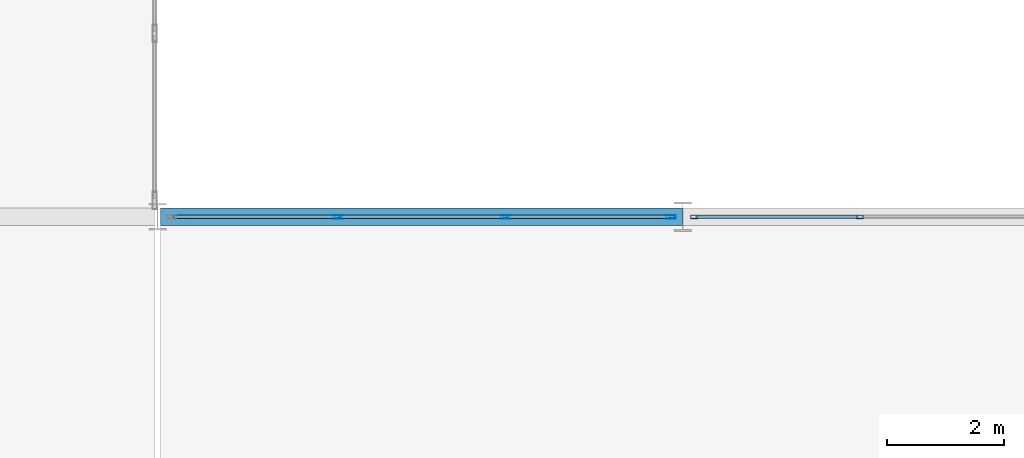
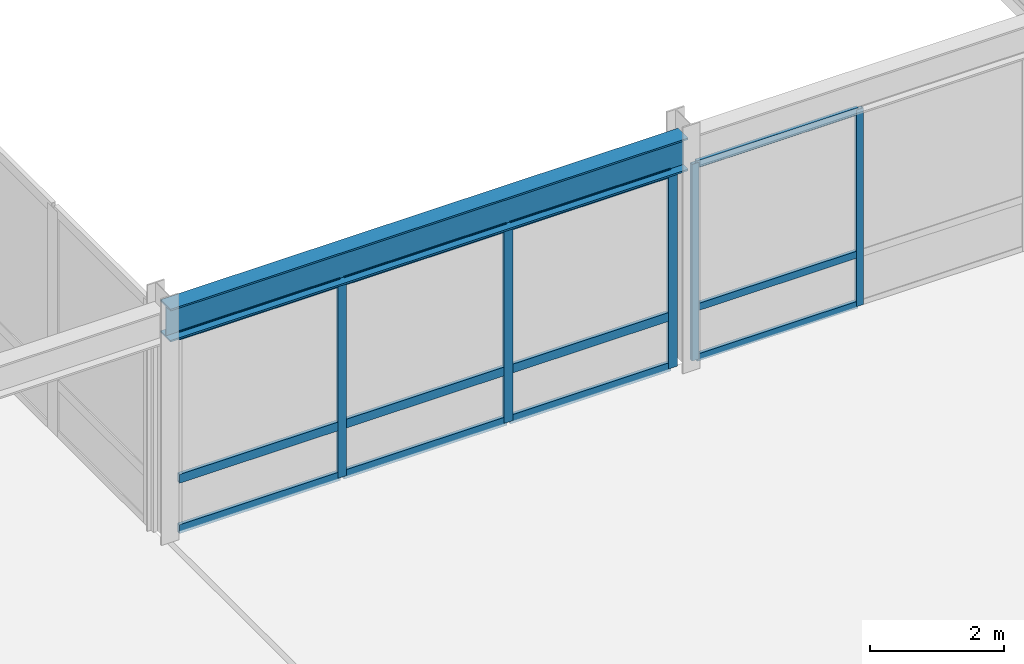
# One storey, part 38 of 115: 17 members, 1 beam, 2 elements without a shape of their own.
"""IFC4 building model written with IfcOpenShell, lengths in metres."""

import ifcopenshell
import ifcopenshell.guid

model = None  # the IFC model being written
_history = None  # IfcOwnerHistory: only IFC2X3 demands one
_inside = {}  # id of a spatial element -> (the spatial element, [elements in it])
_under = {}  # id of a project, library or spatial element -> (it, [spatial elements below it])
_declared = {}  # id of a project -> (the project, [libraries it declares])
_typed = {}  # id of a type object -> (the type object, [elements of that type])
_made_of = {}  # id of a material, layer set ... -> (it, [elements and type objects made of it])


def new_model(schema):
    """Start an empty IFC model of exactly this schema.

    Asked for "IFC4X3", IfcOpenShell would pick the latest addendum, in which some entities
    have other attributes; the version numbers below select the first issue.
    IFC2X3 requires an IfcOwnerHistory on every rooted entity: one is made here for all.
    """
    global model, _history
    if schema == "IFC4X3":
        model = ifcopenshell.file(schema_version=(4, 3, 0, 0))
    else:
        model = ifcopenshell.file(schema=schema)
    _inside.clear()
    _under.clear()
    _declared.clear()
    _typed.clear()
    _made_of.clear()
    _history = None
    if model.schema == "IFC2X3":
        org = make("IfcOrganization", Name="unknown")
        user = make(
            "IfcPersonAndOrganization",
            ThePerson=make("IfcPerson", FamilyName="unknown"),
            TheOrganization=org,
        )
        app = make(
            "IfcApplication",
            ApplicationDeveloper=org,
            Version="unknown",
            ApplicationFullName="unknown",
            ApplicationIdentifier="unknown",
        )
        _history = make(
            "IfcOwnerHistory",
            OwningUser=user,
            OwningApplication=app,
            ChangeAction="ADDED",
            CreationDate=0,
        )
    return model


def make(cls, **values):
    """One entity of the class cls with the attributes given. An attribute that is None is left unset."""
    return model.create_entity(
        cls, **{name: value for name, value in values.items() if value is not None}
    )


def rooted(cls, **values):
    """An entity with a GlobalId (a new one), such as an element, a storey or a relation."""
    return make(cls, GlobalId=ifcopenshell.guid.new(), OwnerHistory=_history, **values)


def si_unit(unit_type, name, prefix=None):
    """IfcSIUnit, for example si_unit("LENGTHUNIT", "METRE", prefix="MILLI")."""
    return make("IfcSIUnit", UnitType=unit_type, Prefix=prefix, Name=name)


def assignment(units):
    """IfcUnitAssignment: the units of a project."""
    return None if units is None else make("IfcUnitAssignment", Units=units)


def point(xyz):
    """IfcCartesianPoint."""
    return None if xyz is None else make("IfcCartesianPoint", Coordinates=xyz)


def direction(xyz):
    """IfcDirection."""
    return None if xyz is None else make("IfcDirection", DirectionRatios=xyz)


def frame(location, z_axis=None, x_axis=None):
    """IfcAxis2Placement3D, a coordinate frame: its origin and axes. An axis left out is left unset."""
    return make(
        "IfcAxis2Placement3D",
        Location=point(location),
        Axis=direction(z_axis),
        RefDirection=direction(x_axis),
    )


def frame_2d(location, x_axis=None):
    """IfcAxis2Placement2D, a coordinate frame in the plane: its origin and x axis."""
    return make(
        "IfcAxis2Placement2D", Location=point(location), RefDirection=direction(x_axis)
    )


def origin():
    """The frame at (0, 0, 0) with its axes left unset."""
    return frame((0.0, 0.0, 0.0))


def origin_2d():
    """The frame at (0, 0) in the plane with its x axis left unset."""
    return frame_2d((0.0, 0.0))


def place(relative_to, where):
    """IfcLocalPlacement: puts the frame where relative to a parent placement (None: the world)."""
    return make(
        "IfcLocalPlacement", PlacementRelTo=relative_to, RelativePlacement=where
    )


def context(
    kind, dimensions, precision=None, world=None, true_north=None, identifier=None
):
    """IfcGeometricRepresentationContext, for example the 3D "Model" context."""
    return make(
        "IfcGeometricRepresentationContext",
        ContextIdentifier=identifier,
        ContextType=kind,
        CoordinateSpaceDimension=dimensions,
        Precision=precision,
        WorldCoordinateSystem=world,
        TrueNorth=true_north,
    )


def subcontext(parent, identifier, kind, view, scale=None):
    """IfcGeometricRepresentationSubContext, for example "Body" below "Model"."""
    return make(
        "IfcGeometricRepresentationSubContext",
        ContextIdentifier=identifier,
        ContextType=kind,
        ParentContext=parent,
        TargetScale=scale,
        TargetView=view,
    )


def project(units=None, contexts=None):
    """IfcProject with its units and contexts."""
    return rooted(
        "IfcProject",
        Name="project",
        RepresentationContexts=contexts,
        UnitsInContext=assignment(units),
    )


def spatial(cls, under=None, at=None, **own):
    """A site, building, storey or space (cls), placed at a placement, below another one or the project."""
    s = rooted(cls, ObjectPlacement=at, **own)
    if under is not None:
        _under.setdefault(under.id(), (under, []))[1].append(s)
    return s


def profile(cls, at=None, kind="AREA", **sizes):
    """A parametric profile (cls). Its sizes go by their IFC names, for example OverallWidth=200.0."""
    return make(cls, ProfileType=kind, Position=at, **sizes)


def hollow_rectangle(**sizes):
    """IfcRectangleHollowProfileDef."""
    return profile("IfcRectangleHollowProfileDef", **sizes)


def i_section(**sizes):
    """IfcIShapeProfileDef."""
    return profile("IfcIShapeProfileDef", **sizes)


def extrude(swept, where, along, depth):
    """IfcExtrudedAreaSolid: the profile swept, set in the frame where, extruded along a direction by depth."""
    return make(
        "IfcExtrudedAreaSolid",
        SweptArea=swept,
        Position=where,
        ExtrudedDirection=direction(along),
        Depth=depth,
    )


def shape(context_of_items, identifier, shape_type, items):
    """IfcShapeRepresentation: the items that make up one representation, for example the "Body"."""
    return make(
        "IfcShapeRepresentation",
        ContextOfItems=context_of_items,
        RepresentationIdentifier=identifier,
        RepresentationType=shape_type,
        Items=items,
    )


def material(Name=None, Category=None):
    """IfcMaterial."""
    return make("IfcMaterial", Name=Name, Category=Category)


def layer(
    of_material, thickness, ventilated=None, Name=None, Category=None, Priority=None
):
    """IfcMaterialLayer: one layer of a wall or slab, of a material (None: an air gap)."""
    return make(
        "IfcMaterialLayer",
        Material=of_material,
        LayerThickness=thickness,
        IsVentilated=ventilated,
        Name=Name,
        Category=Category,
        Priority=Priority,
    )


def layer_set(layers, Name=None):
    """IfcMaterialLayerSet."""
    return make("IfcMaterialLayerSet", MaterialLayers=layers, LayerSetName=Name)


def material_profile(
    of_material, cross_section, Name=None, Category=None, Priority=None
):
    """IfcMaterialProfile: a cross section and its material."""
    return make(
        "IfcMaterialProfile",
        Name=Name,
        Material=of_material,
        Profile=cross_section,
        Priority=Priority,
        Category=Category,
    )


def profile_set(profiles, Name=None, composite=None):
    """IfcMaterialProfileSet."""
    return make(
        "IfcMaterialProfileSet",
        Name=Name,
        MaterialProfiles=profiles,
        CompositeProfile=composite,
    )


def made_of(thing, what):
    """Note that an element or type object is made of a material, layer set ...; save() writes the relation."""
    if what is not None:
        _made_of.setdefault(what.id(), (what, []))[1].append(thing)
    return thing


def type_object(cls, material=None, **own):
    """A type object (cls), such as IfcWallType, which elements share."""
    return made_of(rooted(cls, **own), material)


def element(
    cls,
    number,
    at=None,
    inside=None,
    cuts=None,
    type_object=None,
    material=None,
    context=None,
    identifier="Body",
    shape_type=None,
    held_by="IfcProductDefinitionShape",
    body=None,
    shapes=None,
    **own,
):
    """One element of the class cls, such as IfcWall. Its Tag is "e" and its number.

    at: its placement. inside: the storey or other place that contains it. cuts: it is an
    opening in that element (IfcRelVoidsElement). A single representation is given by context,
    identifier, shape_type and body (its items); several are given by shapes. held_by: the class
    of the entity that holds the representations. save() writes the other relations.
    """
    e = rooted(cls, Tag="e%d" % number, ObjectPlacement=at, **own)
    if body is not None:
        shapes = [shape(context, identifier, shape_type, body)]
    if shapes is not None:
        e.Representation = make(held_by, Representations=shapes)
    if inside is not None:
        _inside.setdefault(inside.id(), (inside, []))[1].append(e)
    if cuts is not None:
        rooted(
            "IfcRelVoidsElement", RelatingBuildingElement=cuts, RelatedOpeningElement=e
        )
    if type_object is not None:
        _typed.setdefault(type_object.id(), (type_object, []))[1].append(e)
    return made_of(e, material)


def aggregate(whole, parts):
    """IfcRelAggregates: a whole, such as a stair, and the parts it consists of."""
    return rooted("IfcRelAggregates", RelatingObject=whole, RelatedObjects=parts)


def save(model, path):
    """Write the relations noted so far, then the file.

    IfcRelAggregates (storeys below a building ...), IfcRelContainedInSpatialStructure (elements
    in a storey), IfcRelDefinesByType, IfcRelAssociatesMaterial and IfcRelDeclares: one each for
    every whole, place, type object, material and project.
    """
    for whole, parts in _under.values():
        aggregate(whole, parts)
    for where, things in _inside.values():
        rooted(
            "IfcRelContainedInSpatialStructure",
            RelatedElements=things,
            RelatingStructure=where,
        )
    for kind, things in _typed.values():
        rooted("IfcRelDefinesByType", RelatedObjects=things, RelatingType=kind)
    for what, things in _made_of.values():
        rooted("IfcRelAssociatesMaterial", RelatedObjects=things, RelatingMaterial=what)
    for by, libraries in _declared.values():
        rooted("IfcRelDeclares", RelatingContext=by, RelatedDefinitions=libraries)
    model.write(path)


model = new_model("IFC4")

# Units and contexts
model_context = context("Model", 3, precision=1e-05, world=origin(), true_north=direction((0.0, 1.0)))
body_context = subcontext(model_context, "Body", "Model", "MODEL_VIEW")
ifc_project = project(units=[si_unit("LENGTHUNIT", "METRE"), si_unit("AREAUNIT", "SQUARE_METRE"), si_unit("VOLUMEUNIT", "CUBIC_METRE"), si_unit("PLANEANGLEUNIT", "RADIAN"), si_unit("MASSUNIT", "GRAM", prefix="KILO")], contexts=[model_context])

# Site, building, storey
site_placement = place(None, origin())
site = spatial("IfcSite", under=ifc_project, at=site_placement, CompositionType="ELEMENT")
building_placement = place(site_placement, origin())
building = spatial("IfcBuilding", under=site, at=building_placement, Name="Montelvaro Courts of Justice", CompositionType="ELEMENT")
storey_placement = place(building_placement, frame((0.0, 0.0, 9.89990234375)))
storey = spatial("IfcBuildingStorey", under=building, at=storey_placement, Name="L02", CompositionType="ELEMENT", Elevation=9.89990234375)

# Beam
ifc_material_1 = material(Name="Steel S355", Category="steel")
ifc_material_profile_1 = material_profile(ifc_material_1, i_section(OverallWidth=0.300048828125, OverallDepth=0.60009765625, WebThickness=0.015380859375, FlangeThickness=0.030029296875, at=origin_2d()), Name="HEB 600")
ifc_profile_set_1 = profile_set([ifc_material_profile_1], Name="Steel S355")
beam_type = type_object("IfcBeamType", Name="Beam_HEB600", PredefinedType="USERDEFINED", material=ifc_profile_set_1)
beam_placement = place(storey_placement, frame((81.050048828125, 42.0, 3.900146484375), z_axis=(1.0, 0.0, 0.0), x_axis=(0.0, 1.0, 0.0)))
element("IfcBeam", 1, at=beam_placement, inside=storey, type_object=beam_type, Name="V4 Roof Eave Girder", ObjectType="GIRDER", PredefinedType="USERDEFINED", context=body_context, shape_type="SweptSolid", body=[
    extrude(i_section(OverallWidth=0.300048828125, OverallDepth=0.60009765625, WebThickness=0.015380859375, FlangeThickness=0.030029296875, at=origin_2d()), origin(), (0.0, 0.0, 1.0), 8.949951171875),
])

# Curtain wall, members
ifc_material_2 = material(Name="Anodised aluminium EN AW-6063", Category="aluminium")
ifc_layer = layer(ifc_material_2, 0.159912109375)
ifc_layer_set = layer_set([ifc_layer], Name="Anodised aluminium EN AW-6063")
curtain_wall_type = type_object("IfcCurtainWallType", Name="CurtainWall_17_861x418", PredefinedType="USERDEFINED", material=ifc_layer_set)
curtain_wall_1_placement = place(storey_placement, origin())
curtain_wall_1 = element("IfcCurtainWall", 2, at=curtain_wall_1_placement, inside=storey, type_object=curtain_wall_type, Name="Curtain Wall CW-17 (L02)", ObjectType="CURTAIN WALL", PredefinedType="USERDEFINED")
ifc_material_profile_2 = material_profile(ifc_material_2, hollow_rectangle(XDim=0.06005859375, YDim=0.1201171875, WallThickness=0.00341796875, at=origin_2d()), Name="ALU-M 60x120")
ifc_profile_set_2 = profile_set([ifc_material_profile_2], Name="Anodised aluminium EN AW-6063")
member_type_1 = type_object("IfcMemberType", Name="CurtainWall_Mullion_60x120", PredefinedType="MULLION", material=ifc_profile_set_2)
member_1_placement = place(storey_placement, frame((93.038330078125, 42.0, 0.0), z_axis=(0.0, 0.0, 1.0), x_axis=(0.0, -1.0, 0.0)))
member_1 = element("IfcMember", 3, at=member_1_placement, type_object=member_type_1, Name="CW-17 mullion 3", PredefinedType="MULLION", context=body_context, shape_type="SweptSolid", body=[
    extrude(hollow_rectangle(XDim=0.06005859375, YDim=0.1201171875, WallThickness=0.00341796875, at=origin_2d()), origin(), (0.0, 0.0, 1.0), 3.59521484375),
])
member_2_placement = place(storey_placement, frame((90.195068359375, 42.0, 0.0), z_axis=(0.0, 0.0, 1.0), x_axis=(0.0, -1.0, 0.0)))
member_2 = element("IfcMember", 4, at=member_2_placement, type_object=member_type_1, Name="CW-17 mullion 4", PredefinedType="MULLION", context=body_context, shape_type="SweptSolid", body=[
    extrude(hollow_rectangle(XDim=0.06005859375, YDim=0.1201171875, WallThickness=0.00341796875, at=origin_2d()), origin(), (0.0, 0.0, 1.0), 3.59521484375),
])

curtain_wall_2_placement = place(storey_placement, origin())
curtain_wall_2 = element("IfcCurtainWall", 5, at=curtain_wall_2_placement, inside=storey, type_object=curtain_wall_type, Name="Curtain Wall CW-17 (L02)", ObjectType="CURTAIN WALL", PredefinedType="USERDEFINED")
ifc_material_profile_3 = material_profile(ifc_material_2, hollow_rectangle(XDim=0.06005859375, YDim=0.14990234375, WallThickness=0.00390625, at=origin_2d()), Name="ALU-M 60x150")
ifc_profile_set_3 = profile_set([ifc_material_profile_3], Name="Anodised aluminium EN AW-6063")
member_type_2 = type_object("IfcMemberType", Name="CurtainWall_Mullion_60x150", PredefinedType="MULLION", material=ifc_profile_set_3)
member_3_placement = place(storey_placement, frame((89.804931640625, 42.0, 0.0), z_axis=(0.0, 0.0, 1.0), x_axis=(0.0, -1.0, 0.0)))
member_3 = element("IfcMember", 6, at=member_3_placement, type_object=member_type_2, Name="CW-17 mullion 1", PredefinedType="MULLION", context=body_context, shape_type="SweptSolid", body=[
    extrude(hollow_rectangle(XDim=0.06005859375, YDim=0.14990234375, WallThickness=0.00390625, at=origin_2d()), origin(), (0.0, 0.0, 1.0), 3.59521484375),
])
member_4_placement = place(storey_placement, frame((86.961669921875, 42.0, 0.0), z_axis=(0.0, 0.0, 1.0), x_axis=(0.0, -1.0, 0.0)))
member_4 = element("IfcMember", 7, at=member_4_placement, type_object=member_type_2, Name="CW-17 mullion 2", PredefinedType="MULLION", context=body_context, shape_type="SweptSolid", body=[
    extrude(hollow_rectangle(XDim=0.06005859375, YDim=0.14990234375, WallThickness=0.00390625, at=origin_2d()), origin(), (0.0, 0.0, 1.0), 3.59521484375),
])
member_5_placement = place(storey_placement, frame((84.08837890625, 42.0, 0.0), z_axis=(0.0, 0.0, 1.0), x_axis=(0.0, -1.0, 0.0)))
member_5 = element("IfcMember", 8, at=member_5_placement, type_object=member_type_2, Name="CW-17 mullion 3", PredefinedType="MULLION", context=body_context, shape_type="SweptSolid", body=[
    extrude(hollow_rectangle(XDim=0.06005859375, YDim=0.14990234375, WallThickness=0.00390625, at=origin_2d()), origin(), (0.0, 0.0, 1.0), 3.59521484375),
])

# Member
ifc_material_profile_4 = material_profile(ifc_material_2, hollow_rectangle(XDim=0.06005859375, YDim=0.1298828125, WallThickness=0.00390625, at=origin_2d()), Name="ALU-T 60x130")
ifc_profile_set_4 = profile_set([ifc_material_profile_4], Name="Anodised aluminium EN AW-6063")
member_type_3 = type_object("IfcMemberType", Name="CurtainWall_Transom_60x130", PredefinedType="USERDEFINED", material=ifc_profile_set_4)
member_6_placement = place(storey_placement, frame((93.00830078125, 42.0, 0.030029296875), z_axis=(-1.0, 0.0, 0.0), x_axis=(0.0, -1.0, 0.0)))
member_6 = element("IfcMember", 9, at=member_6_placement, type_object=member_type_3, Name="CW-17 transom 3.1", ObjectType="TRANSOM", PredefinedType="USERDEFINED", context=body_context, shape_type="SweptSolid", body=[
    extrude(hollow_rectangle(XDim=0.06005859375, YDim=0.1298828125, WallThickness=0.00390625, at=origin_2d()), origin(), (0.0, 0.0, 1.0), 2.783203125),
])

member_7_placement = place(storey_placement, frame((93.00830078125, 42.0, 0.9501953125), z_axis=(-1.0, 0.0, 0.0), x_axis=(0.0, -1.0, 0.0)))
member_7 = element("IfcMember", 10, at=member_7_placement, type_object=member_type_3, Name="CW-17 transom 3.2", ObjectType="TRANSOM", PredefinedType="USERDEFINED", context=body_context, shape_type="SweptSolid", body=[
    extrude(hollow_rectangle(XDim=0.06005859375, YDim=0.1298828125, WallThickness=0.00390625, at=origin_2d()), origin(), (0.0, 0.0, 1.0), 2.783203125),
])

member_8_placement = place(storey_placement, frame((93.00830078125, 42.0, 3.565185546875), z_axis=(-1.0, 0.0, 0.0), x_axis=(0.0, -1.0, 0.0)))
member_8 = element("IfcMember", 11, at=member_8_placement, type_object=member_type_3, Name="CW-17 transom 3.3", ObjectType="TRANSOM", PredefinedType="USERDEFINED", context=body_context, shape_type="SweptSolid", body=[
    extrude(hollow_rectangle(XDim=0.06005859375, YDim=0.1298828125, WallThickness=0.00390625, at=origin_2d()), origin(), (0.0, 0.0, 1.0), 2.783203125),
])

aggregate(curtain_wall_1, [member_1, member_2, member_6, member_7, member_8])

ifc_material_profile_5 = material_profile(ifc_material_2, hollow_rectangle(XDim=0.06005859375, YDim=0.159912109375, WallThickness=0.00439453125, at=origin_2d()), Name="ALU-T 60x160")
ifc_profile_set_5 = profile_set([ifc_material_profile_5], Name="Anodised aluminium EN AW-6063")
member_type_4 = type_object("IfcMemberType", Name="CurtainWall_Transom_60x160", PredefinedType="USERDEFINED", material=ifc_profile_set_5)
member_9_placement = place(storey_placement, frame((89.77490234375, 42.0, 0.030029296875), z_axis=(-1.0, 0.0, 0.0), x_axis=(0.0, -1.0, 0.0)))
member_9 = element("IfcMember", 12, at=member_9_placement, type_object=member_type_4, Name="CW-17 transom 1.1", ObjectType="TRANSOM", PredefinedType="USERDEFINED", context=body_context, shape_type="SweptSolid", body=[
    extrude(hollow_rectangle(XDim=0.06005859375, YDim=0.159912109375, WallThickness=0.00439453125, at=origin_2d()), origin(), (0.0, 0.0, 1.0), 2.783203125),
])

member_10_placement = place(storey_placement, frame((89.77490234375, 42.0, 0.9501953125), z_axis=(-1.0, 0.0, 0.0), x_axis=(0.0, -1.0, 0.0)))
member_10 = element("IfcMember", 13, at=member_10_placement, type_object=member_type_4, Name="CW-17 transom 1.2", ObjectType="TRANSOM", PredefinedType="USERDEFINED", context=body_context, shape_type="SweptSolid", body=[
    extrude(hollow_rectangle(XDim=0.06005859375, YDim=0.159912109375, WallThickness=0.00439453125, at=origin_2d()), origin(), (0.0, 0.0, 1.0), 2.783203125),
])

member_11_placement = place(storey_placement, frame((89.77490234375, 42.0, 3.565185546875), z_axis=(-1.0, 0.0, 0.0), x_axis=(0.0, -1.0, 0.0)))
member_11 = element("IfcMember", 14, at=member_11_placement, type_object=member_type_4, Name="CW-17 transom 1.3", ObjectType="TRANSOM", PredefinedType="USERDEFINED", context=body_context, shape_type="SweptSolid", body=[
    extrude(hollow_rectangle(XDim=0.06005859375, YDim=0.159912109375, WallThickness=0.00439453125, at=origin_2d()), origin(), (0.0, 0.0, 1.0), 2.783203125),
])

member_12_placement = place(storey_placement, frame((86.931640625, 42.0, 0.030029296875), z_axis=(-1.0, 0.0, 0.0), x_axis=(0.0, -1.0, 0.0)))
member_12 = element("IfcMember", 15, at=member_12_placement, type_object=member_type_4, Name="CW-17 transom 2.1", ObjectType="TRANSOM", PredefinedType="USERDEFINED", context=body_context, shape_type="SweptSolid", body=[
    extrude(hollow_rectangle(XDim=0.06005859375, YDim=0.159912109375, WallThickness=0.00439453125, at=origin_2d()), origin(), (0.0, 0.0, 1.0), 2.813232421875),
])

member_13_placement = place(storey_placement, frame((86.931640625, 42.0, 0.9501953125), z_axis=(-1.0, 0.0, 0.0), x_axis=(0.0, -1.0, 0.0)))
member_13 = element("IfcMember", 16, at=member_13_placement, type_object=member_type_4, Name="CW-17 transom 2.2", ObjectType="TRANSOM", PredefinedType="USERDEFINED", context=body_context, shape_type="SweptSolid", body=[
    extrude(hollow_rectangle(XDim=0.06005859375, YDim=0.159912109375, WallThickness=0.00439453125, at=origin_2d()), origin(), (0.0, 0.0, 1.0), 2.813232421875),
])

member_14_placement = place(storey_placement, frame((86.931640625, 42.0, 3.565185546875), z_axis=(-1.0, 0.0, 0.0), x_axis=(0.0, -1.0, 0.0)))
member_14 = element("IfcMember", 17, at=member_14_placement, type_object=member_type_4, Name="CW-17 transom 2.3", ObjectType="TRANSOM", PredefinedType="USERDEFINED", context=body_context, shape_type="SweptSolid", body=[
    extrude(hollow_rectangle(XDim=0.06005859375, YDim=0.159912109375, WallThickness=0.00439453125, at=origin_2d()), origin(), (0.0, 0.0, 1.0), 2.813232421875),
])

member_15_placement = place(storey_placement, frame((84.058349609375, 42.0, 0.030029296875), z_axis=(-1.0, 0.0, 0.0), x_axis=(0.0, -1.0, 0.0)))
member_15 = element("IfcMember", 18, at=member_15_placement, type_object=member_type_4, Name="CW-17 transom 3.1", ObjectType="TRANSOM", PredefinedType="USERDEFINED", context=body_context, shape_type="SweptSolid", body=[
    extrude(hollow_rectangle(XDim=0.06005859375, YDim=0.159912109375, WallThickness=0.00439453125, at=origin_2d()), origin(), (0.0, 0.0, 1.0), 2.783447265625),
])

member_16_placement = place(storey_placement, frame((84.058349609375, 42.0, 0.9501953125), z_axis=(-1.0, 0.0, 0.0), x_axis=(0.0, -1.0, 0.0)))
member_16 = element("IfcMember", 19, at=member_16_placement, type_object=member_type_4, Name="CW-17 transom 3.2", ObjectType="TRANSOM", PredefinedType="USERDEFINED", context=body_context, shape_type="SweptSolid", body=[
    extrude(hollow_rectangle(XDim=0.06005859375, YDim=0.159912109375, WallThickness=0.00439453125, at=origin_2d()), origin(), (0.0, 0.0, 1.0), 2.783447265625),
])

member_17_placement = place(storey_placement, frame((84.058349609375, 42.0, 3.565185546875), z_axis=(-1.0, 0.0, 0.0), x_axis=(0.0, -1.0, 0.0)))
member_17 = element("IfcMember", 20, at=member_17_placement, type_object=member_type_4, Name="CW-17 transom 3.3", ObjectType="TRANSOM", PredefinedType="USERDEFINED", context=body_context, shape_type="SweptSolid", body=[
    extrude(hollow_rectangle(XDim=0.06005859375, YDim=0.159912109375, WallThickness=0.00439453125, at=origin_2d()), origin(), (0.0, 0.0, 1.0), 2.783447265625),
])

aggregate(curtain_wall_2, [member_3, member_4, member_5, member_9, member_10, member_11, member_12, member_13, member_14, member_15, member_16, member_17])

save(model, "model.ifc")
